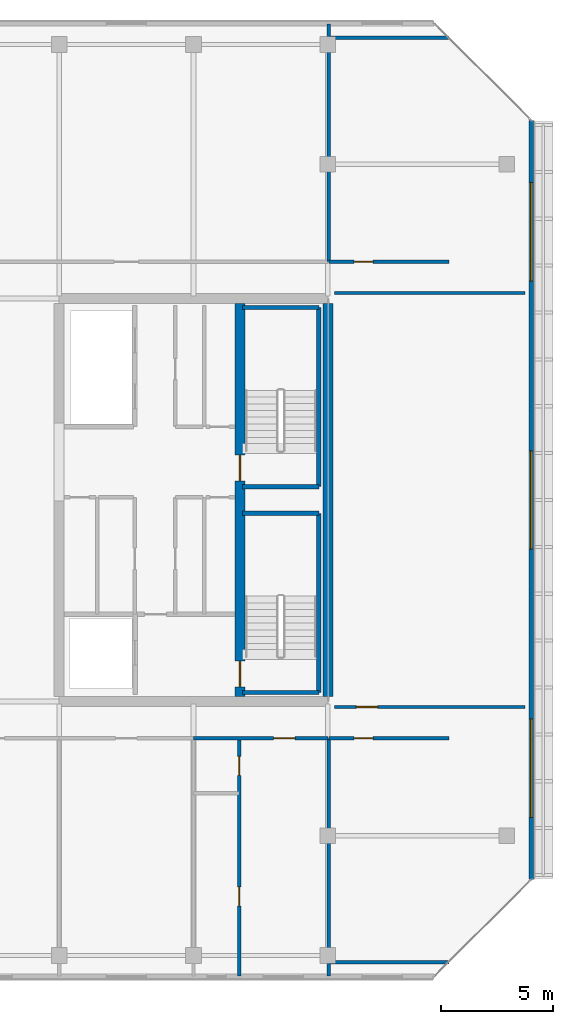
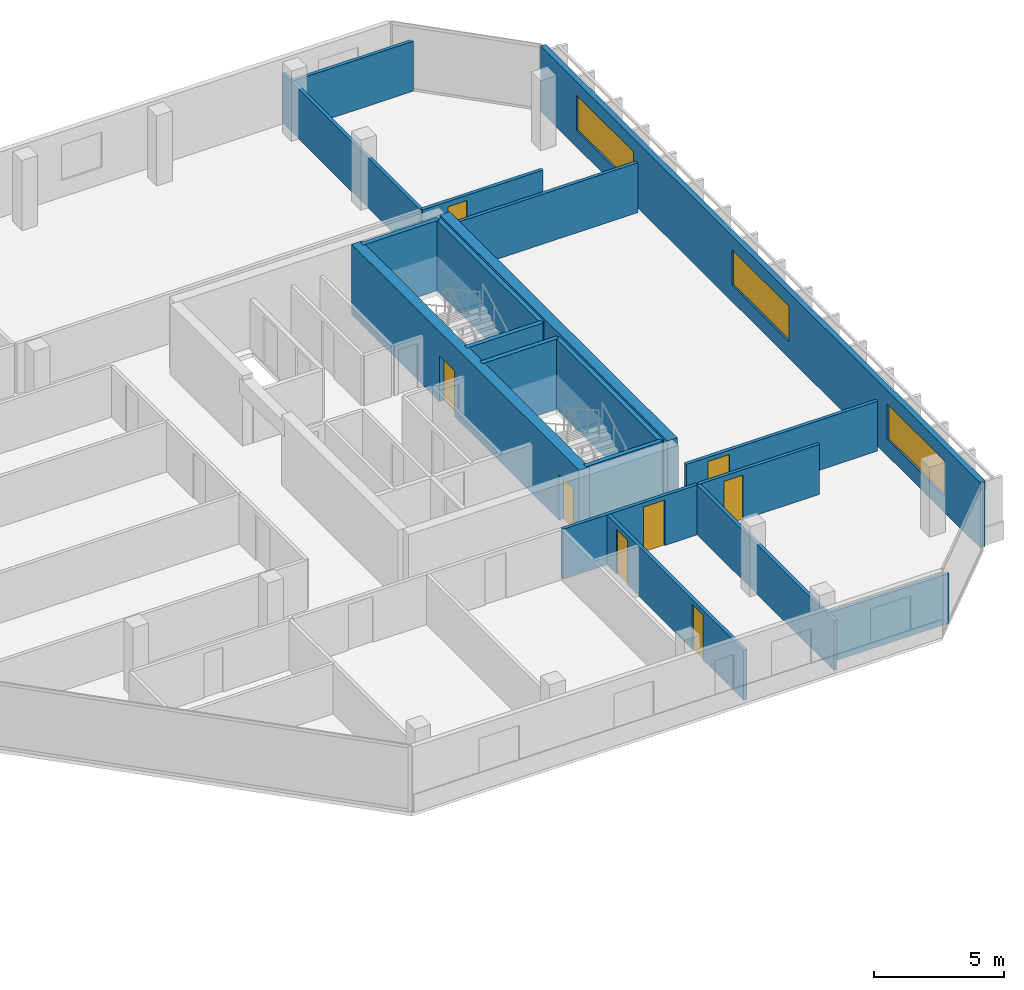
# One storey, part 25 of 29: 19 walls, 8 doors, 3 windows, 11 openings.
"""IFC4 building model written with IfcOpenShell, lengths in metres."""

from ifc_helpers import new_model, si_unit, direction, frame, frame_2d, origin, place, context, subcontext, project, spatial, rectangle, extrude, material, layer, layer_set, type_object, element, fill, save


model = new_model("IFC4")

# Units and contexts
model_context = context("Model", 3, precision=1e-05, world=origin(), true_north=direction((0.0, 1.0)))
body_context = subcontext(model_context, "Body", "Model", "MODEL_VIEW")
ifc_project = project(units=[si_unit("LENGTHUNIT", "METRE"), si_unit("AREAUNIT", "SQUARE_METRE"), si_unit("VOLUMEUNIT", "CUBIC_METRE"), si_unit("PLANEANGLEUNIT", "RADIAN"), si_unit("MASSUNIT", "GRAM", prefix="KILO")], contexts=[model_context])

# Site, building, storey
site_placement = place(None, origin())
site = spatial("IfcSite", under=ifc_project, at=site_placement, CompositionType="ELEMENT")
building_placement = place(site_placement, origin())
building = spatial("IfcBuilding", under=site, at=building_placement, Name="Tanjung Sevakor Pilgrim Tower", CompositionType="ELEMENT")
storey_placement = place(building_placement, frame((0.0, 0.0, 232.64990234375)))
storey = spatial("IfcBuildingStorey", under=building, at=storey_placement, Name="L65", CompositionType="ELEMENT", Elevation=232.64990234375)

# Wall
ifc_material_1 = material(Name="Concrete C60/75", Category="concrete")
ifc_layer_1 = layer(ifc_material_1, 0.449951171875)
ifc_layer_set_1 = layer_set([ifc_layer_1], Name="WALL-CW-450")
wall_type_1 = type_object("IfcWallType", Name="WALL-CW-450", PredefinedType="SHEAR", material=ifc_layer_set_1)
wall_1_placement = place(storey_placement, frame((90.0, 24.824951171875, 0.0), z_axis=(0.0, 0.0, 1.0), x_axis=(0.0, 1.0, 0.0)))
element("IfcWall", 1, at=wall_1_placement, inside=storey, type_object=wall_type_1, Name="L65 E Core Outer Shear Wall", PredefinedType="SHEAR", context=body_context, shape_type="SweptSolid", body=[
    extrude(rectangle(XDim=17.550048828125, YDim=0.449951171875, at=frame_2d((8.77490234375, 0.0))), origin(), (0.0, 0.0, 1.0), 3.300048828125),
])

# Wall, openings, doors
wall_2_placement = place(storey_placement, frame((86.074951171875, 24.824951171875, 0.0), z_axis=(0.0, 0.0, 1.0), x_axis=(0.0, 1.0, 0.0)))
wall_2 = element("IfcWall", 2, at=wall_2_placement, inside=storey, type_object=wall_type_1, Name="L65 E Core Stair Spine Wall", PredefinedType="SHEAR", context=body_context, shape_type="SweptSolid", body=[
    extrude(rectangle(XDim=17.550048828125, YDim=0.449951171875, at=frame_2d((8.77490234375, 0.0))), origin(), (0.0, 0.0, 1.0), 3.300048828125),
])
opening_1_placement = place(wall_2_placement, frame((0.425048828125, 0.0, 0.0)))
opening_1 = element("IfcOpeningElement", 3, at=opening_1_placement, cuts=wall_2, Name="Opening ID-ST1", PredefinedType="OPENING", context=body_context, shape_type="SweptSolid", body=[
    extrude(rectangle(XDim=1.14990234375, YDim=2.14990234375, at=frame_2d((0.574951171875, 1.074951171875))), frame((0.0, 0.23486328125, 0.0), z_axis=(0.0, -1.0, 0.0), x_axis=(1.0, 0.0, 0.0)), (0.0, 0.0, 1.0), 0.469970703125),
])
opening_2_placement = place(wall_2_placement, frame((9.625, 0.0, 0.0)))
opening_2 = element("IfcOpeningElement", 4, at=opening_2_placement, cuts=wall_2, Name="Opening ID-ST1", PredefinedType="OPENING", context=body_context, shape_type="SweptSolid", body=[
    extrude(rectangle(XDim=1.14990234375, YDim=2.14990234375, at=frame_2d((0.574951171875, 1.074951171875))), frame((0.0, 0.23486328125, 0.0), z_axis=(0.0, -1.0, 0.0), x_axis=(1.0, 0.0, 0.0)), (0.0, 0.0, 1.0), 0.469970703125),
])
ifc_material_2 = material(Name="Fire-Rated Steel S355J2", Category="steel")
door_type_1 = type_object("IfcDoorType", Name="DT-FIRE-1150", OperationType="NOTDEFINED", PredefinedType="DOOR", material=ifc_material_2)
door_1_placement = place(opening_1_placement, origin())
door_1 = element("IfcDoor", 5, at=door_1_placement, inside=storey, type_object=door_type_1, Name="L65 TS-E1 Stair Fire Door", OperationType="SINGLE_SWING_RIGHT", OverallHeight=2.14990234375, OverallWidth=1.14990234375, PredefinedType="DOOR", context=body_context, shape_type="SweptSolid", body=[
    extrude(rectangle(XDim=1.14990234375, YDim=2.14990234375, at=frame_2d((0.574951171875, 1.074951171875))), frame((0.0, 0.02490234375, 0.0), z_axis=(0.0, -1.0, 0.0), x_axis=(1.0, 0.0, 0.0)), (0.0, 0.0, 1.0), 0.050048828125),
])
fill(opening_1, door_1)
door_2_placement = place(opening_2_placement, origin())
door_2 = element("IfcDoor", 6, at=door_2_placement, inside=storey, type_object=door_type_1, Name="L65 TS-E2 Stair Fire Door", OperationType="SINGLE_SWING_LEFT", OverallHeight=2.14990234375, OverallWidth=1.14990234375, PredefinedType="DOOR", context=body_context, shape_type="SweptSolid", body=[
    extrude(rectangle(XDim=1.14990234375, YDim=2.14990234375, at=frame_2d((0.574951171875, 1.074951171875))), frame((0.0, 0.02490234375, 0.0), z_axis=(0.0, -1.0, 0.0), x_axis=(1.0, 0.0, 0.0)), (0.0, 0.0, 1.0), 0.050048828125),
])
fill(opening_2, door_2)

# Wall, opening, door
ifc_material_3 = material(Name="Concrete C40/50", Category="concrete")
ifc_layer_2 = layer(ifc_material_3, 0.14990234375)
ifc_layer_set_2 = layer_set([ifc_layer_2], Name="WT-COMP-150")
wall_type_2 = type_object("IfcWallType", Name="WT-COMP-150", PredefinedType="SOLIDWALL", material=ifc_layer_set_2)
wall_3_placement = place(storey_placement, frame((90.300048828125, 24.35009765625, 0.0), z_axis=(0.0, 0.0, 1.0), x_axis=(1.0, 0.0, 0.0)))
wall_3 = element("IfcWall", 7, at=wall_3_placement, inside=storey, type_object=wall_type_2, Name="L65 Partition IW-L65-049", PredefinedType="SOLIDWALL", context=body_context, shape_type="SweptSolid", body=[
    extrude(rectangle(XDim=8.52001953125, YDim=0.14990234375, at=frame_2d((4.260009765625, 0.0))), origin(), (0.0, 0.0, 1.0), 2.35009765625),
])
opening_3_placement = place(wall_3_placement, frame((0.97509765625, 0.0, 0.0)))
opening_3 = element("IfcOpeningElement", 8, at=opening_3_placement, cuts=wall_3, Name="Opening ID-RM1", PredefinedType="OPENING", context=body_context, shape_type="SweptSolid", body=[
    extrude(rectangle(XDim=0.949951171875, YDim=2.14990234375, at=frame_2d((0.47509765625, 1.074951171875))), frame((0.0, 0.0849609375, 0.0), z_axis=(0.0, -1.0, 0.0), x_axis=(1.0, 0.0, 0.0)), (0.0, 0.0, 1.0), 0.169921875),
])
ifc_material_4 = material(Name="Hardwood Timber", Category="wood")
door_type_2 = type_object("IfcDoorType", Name="DT-INT-950", OperationType="NOTDEFINED", PredefinedType="DOOR", material=ifc_material_4)
door_3_placement = place(opening_3_placement, origin())
door_3 = element("IfcDoor", 9, at=door_3_placement, inside=storey, type_object=door_type_2, Name="L65 East Crown Sanctuary Door", OperationType="SINGLE_SWING_RIGHT", OverallHeight=2.14990234375, OverallWidth=0.949951171875, PredefinedType="DOOR", context=body_context, shape_type="SweptSolid", body=[
    extrude(rectangle(XDim=0.949951171875, YDim=2.14990234375, at=frame_2d((0.47509765625, 1.074951171875))), frame((0.0, 0.02490234375, 0.0), z_axis=(0.0, -1.0, 0.0), x_axis=(1.0, 0.0, 0.0)), (0.0, 0.0, 1.0), 0.050048828125),
])
fill(opening_3, door_3)

# Walls
wall_4_placement = place(storey_placement, frame((90.300048828125, 42.85009765625, 0.0), z_axis=(0.0, 0.0, 1.0), x_axis=(1.0, 0.0, 0.0)))
element("IfcWall", 10, at=wall_4_placement, inside=storey, type_object=wall_type_2, Name="L65 Partition IW-L65-050", PredefinedType="SOLIDWALL", context=body_context, shape_type="SweptSolid", body=[
    extrude(rectangle(XDim=8.52001953125, YDim=0.14990234375, at=frame_2d((4.260009765625, 0.0))), origin(), (0.0, 0.0, 1.0), 2.35009765625),
])
wall_5_placement = place(storey_placement, frame((90.050048828125, 12.949951171875, 0.0), z_axis=(0.0, 0.0, 1.0), x_axis=(1.0, 0.0, 0.0)))
element("IfcWall", 11, at=wall_5_placement, inside=storey, type_object=wall_type_2, Name="L65 Partition IW-L65-051", PredefinedType="SOLIDWALL", context=body_context, shape_type="SweptSolid", body=[
    extrude(rectangle(XDim=5.369873046875, YDim=0.14990234375, at=frame_2d((2.68505859375, 0.0))), origin(), (0.0, 0.0, 1.0), 2.35009765625),
])

# Wall, opening, door
wall_6_placement = place(storey_placement, frame((90.050048828125, 22.949951171875, 0.0), z_axis=(0.0, 0.0, 1.0), x_axis=(1.0, 0.0, 0.0)))
wall_6 = element("IfcWall", 12, at=wall_6_placement, inside=storey, type_object=wall_type_2, Name="L65 Partition IW-L65-052", PredefinedType="SOLIDWALL", context=body_context, shape_type="SweptSolid", body=[
    extrude(rectangle(XDim=5.369873046875, YDim=0.14990234375, at=frame_2d((2.68505859375, 0.0))), origin(), (0.0, 0.0, 1.0), 2.35009765625),
])
opening_4_placement = place(wall_6_placement, frame((1.125, 0.0, 0.0)))
opening_4 = element("IfcOpeningElement", 13, at=opening_4_placement, cuts=wall_6, Name="Opening ID-WC1", PredefinedType="OPENING", context=body_context, shape_type="SweptSolid", body=[
    extrude(rectangle(XDim=0.85009765625, YDim=2.10009765625, at=frame_2d((0.425048828125, 1.050048828125))), frame((0.0, 0.0849609375, 0.0), z_axis=(0.0, -1.0, 0.0), x_axis=(1.0, 0.0, 0.0)), (0.0, 0.0, 1.0), 0.169921875),
])
ifc_material_5 = material(Name="Moisture-Resistant Timber", Category="wood")
door_type_3 = type_object("IfcDoorType", Name="DT-INT-850", OperationType="NOTDEFINED", PredefinedType="DOOR", material=ifc_material_5)
door_4_placement = place(opening_4_placement, origin())
door_4 = element("IfcDoor", 14, at=door_4_placement, inside=storey, type_object=door_type_3, Name="L65 SE Crown Study Door", OperationType="SINGLE_SWING_LEFT", OverallHeight=2.10009765625, OverallWidth=0.85009765625, PredefinedType="DOOR", context=body_context, shape_type="SweptSolid", body=[
    extrude(rectangle(XDim=0.85009765625, YDim=2.10009765625, at=frame_2d((0.425048828125, 1.050048828125))), frame((0.0, 0.02490234375, 0.0), z_axis=(0.0, -1.0, 0.0), x_axis=(1.0, 0.0, 0.0)), (0.0, 0.0, 1.0), 0.050048828125),
])
fill(opening_4, door_4)

# Wall
wall_7_placement = place(storey_placement, frame((90.050048828125, 12.340087890625, 0.0), z_axis=(0.0, 0.0, 1.0), x_axis=(0.0, 1.0, 0.0)))
element("IfcWall", 15, at=wall_7_placement, inside=storey, type_object=wall_type_2, Name="L65 Partition IW-L65-053", PredefinedType="SOLIDWALL", context=body_context, shape_type="SweptSolid", body=[
    extrude(rectangle(XDim=10.60986328125, YDim=0.14990234375, at=frame_2d((5.304931640625, 0.0))), origin(), (0.0, 0.0, 1.0), 2.35009765625),
])

# Wall, opening, door
wall_8_placement = place(storey_placement, frame((90.050048828125, 44.25, 0.0), z_axis=(0.0, 0.0, 1.0), x_axis=(1.0, 0.0, 0.0)))
wall_8 = element("IfcWall", 16, at=wall_8_placement, inside=storey, type_object=wall_type_2, Name="L65 Partition IW-L65-054", PredefinedType="SOLIDWALL", context=body_context, shape_type="SweptSolid", body=[
    extrude(rectangle(XDim=5.369873046875, YDim=0.14990234375, at=frame_2d((2.68505859375, 0.0))), origin(), (0.0, 0.0, 1.0), 2.35009765625),
])
opening_5_placement = place(wall_8_placement, frame((1.125, 0.0, 0.0)))
opening_5 = element("IfcOpeningElement", 17, at=opening_5_placement, cuts=wall_8, Name="Opening ID-WC1", PredefinedType="OPENING", context=body_context, shape_type="SweptSolid", body=[
    extrude(rectangle(XDim=0.85009765625, YDim=2.10009765625, at=frame_2d((0.425048828125, 1.050048828125))), frame((0.0, 0.0849609375, 0.0), z_axis=(0.0, -1.0, 0.0), x_axis=(1.0, 0.0, 0.0)), (0.0, 0.0, 1.0), 0.169921875),
])
door_5_placement = place(opening_5_placement, origin())
door_5 = element("IfcDoor", 18, at=door_5_placement, inside=storey, type_object=door_type_3, Name="L65 NE Crown Lounge Door", OperationType="SINGLE_SWING_RIGHT", OverallHeight=2.10009765625, OverallWidth=0.85009765625, PredefinedType="DOOR", context=body_context, shape_type="SweptSolid", body=[
    extrude(rectangle(XDim=0.85009765625, YDim=2.10009765625, at=frame_2d((0.425048828125, 1.050048828125))), frame((0.0, 0.02490234375, 0.0), z_axis=(0.0, -1.0, 0.0), x_axis=(1.0, 0.0, 0.0)), (0.0, 0.0, 1.0), 0.050048828125),
])
fill(opening_5, door_5)

# Walls
wall_9_placement = place(storey_placement, frame((90.050048828125, 54.25, 0.0), z_axis=(0.0, 0.0, 1.0), x_axis=(1.0, 0.0, 0.0)))
element("IfcWall", 19, at=wall_9_placement, inside=storey, type_object=wall_type_2, Name="L65 Partition IW-L65-055", PredefinedType="SOLIDWALL", context=body_context, shape_type="SweptSolid", body=[
    extrude(rectangle(XDim=5.369873046875, YDim=0.14990234375, at=frame_2d((2.68505859375, 0.0))), origin(), (0.0, 0.0, 1.0), 2.35009765625),
])
wall_10_placement = place(storey_placement, frame((90.050048828125, 44.25, 0.0), z_axis=(0.0, 0.0, 1.0), x_axis=(0.0, 1.0, 0.0)))
element("IfcWall", 20, at=wall_10_placement, inside=storey, type_object=wall_type_2, Name="L65 Partition IW-L65-056", PredefinedType="SOLIDWALL", context=body_context, shape_type="SweptSolid", body=[
    extrude(rectangle(XDim=10.610107421875, YDim=0.14990234375, at=frame_2d((5.30517578125, 0.0))), origin(), (0.0, 0.0, 1.0), 2.35009765625),
])

# Wall, opening, door
wall_11_placement = place(storey_placement, frame((84.0, 22.949951171875, 0.0), z_axis=(0.0, 0.0, 1.0), x_axis=(1.0, 0.0, 0.0)))
wall_11 = element("IfcWall", 21, at=wall_11_placement, inside=storey, type_object=wall_type_2, Name="L65 Partition IW-L65-063", PredefinedType="SOLIDWALL", context=body_context, shape_type="SweptSolid", body=[
    extrude(rectangle(XDim=6.0, YDim=0.14990234375, at=frame_2d((3.0, 0.0))), origin(), (0.0, 0.0, 1.0), 2.35009765625),
])
opening_6_placement = place(wall_11_placement, frame((3.5849609375, 0.0, 0.0)))
opening_6 = element("IfcOpeningElement", 22, at=opening_6_placement, cuts=wall_11, Name="Opening ID-FD2", PredefinedType="OPENING", context=body_context, shape_type="SweptSolid", body=[
    extrude(rectangle(XDim=0.949951171875, YDim=2.14990234375, at=frame_2d((0.47509765625, 1.074951171875))), frame((0.0, 0.0849609375, 0.0), z_axis=(0.0, -1.0, 0.0), x_axis=(1.0, 0.0, 0.0)), (0.0, 0.0, 1.0), 0.169921875),
])
ifc_material_6 = material(Name="Fire-Rated Timber", Category="wood")
door_type_4 = type_object("IfcDoorType", Name="DT-FIRE-950", OperationType="NOTDEFINED", PredefinedType="DOOR", material=ifc_material_6)
door_6_placement = place(opening_6_placement, origin())
door_6 = element("IfcDoor", 23, at=door_6_placement, inside=storey, type_object=door_type_4, Name="Hotel Guestroom Entrance", OperationType="SINGLE_SWING_LEFT", OverallHeight=2.14990234375, OverallWidth=0.949951171875, PredefinedType="DOOR", context=body_context, shape_type="SweptSolid", body=[
    extrude(rectangle(XDim=0.949951171875, YDim=2.14990234375, at=frame_2d((0.47509765625, 1.074951171875))), frame((0.0, 0.02490234375, 0.0), z_axis=(0.0, -1.0, 0.0), x_axis=(1.0, 0.0, 0.0)), (0.0, 0.0, 1.0), 0.050048828125),
])
fill(opening_6, door_6)

# Wall, openings, windows
ifc_material_7 = material(Name="Precast concrete C45/55", Category="concrete")
ifc_layer_3 = layer(ifc_material_7, 0.219970703125)
ifc_layer_set_3 = layer_set([ifc_layer_3], Name="WT-EW-STN4")
wall_type_3 = type_object("IfcWallType", Name="WT-EW-STN4", PredefinedType="SOLIDWALL", material=ifc_layer_set_3)
wall_12_placement = place(storey_placement, frame((99.090087890625, 16.6455078125, 0.0), z_axis=(0.0, 0.0, 1.0), x_axis=(0.0, 1.0, 0.0)))
wall_12 = element("IfcWall", 24, at=wall_12_placement, inside=storey, type_object=wall_type_3, Name="L65 EAST Exterior Wall 3", PredefinedType="SOLIDWALL", context=body_context, shape_type="SweptSolid", body=[
    extrude(rectangle(XDim=33.908935546875, YDim=0.219970703125, at=frame_2d((16.95458984375, 0.0))), origin(), (0.0, 0.0, 1.0), 3.080078125),
])
opening_7_placement = place(wall_12_placement, frame((14.75439453125, 0.0, 0.780029296875)))
opening_7 = element("IfcOpeningElement", 25, at=opening_7_placement, cuts=wall_12, Name="Opening WN-ENDW-1660", PredefinedType="OPENING", context=body_context, shape_type="SweptSolid", body=[
    extrude(rectangle(XDim=4.39990234375, YDim=1.659912109375, at=frame_2d((2.199951171875, 0.830078125))), frame((0.0, 0.119873046875, 0.0), z_axis=(0.0, -1.0, 0.0), x_axis=(1.0, 0.0, 0.0)), (0.0, 0.0, 1.0), 0.239990234375),
])
opening_8_placement = place(wall_12_placement, frame((2.772216796875, 0.0, 0.780029296875)))
opening_8 = element("IfcOpeningElement", 26, at=opening_8_placement, cuts=wall_12, Name="Opening WN-ENDW-1660", PredefinedType="OPENING", context=body_context, shape_type="SweptSolid", body=[
    extrude(rectangle(XDim=4.39990234375, YDim=1.659912109375, at=frame_2d((2.199951171875, 0.830078125))), frame((0.0, 0.119873046875, 0.0), z_axis=(0.0, -1.0, 0.0), x_axis=(1.0, 0.0, 0.0)), (0.0, 0.0, 1.0), 0.239990234375),
])
opening_9_placement = place(wall_12_placement, frame((26.736572265625, 0.0, 0.780029296875)))
opening_9 = element("IfcOpeningElement", 27, at=opening_9_placement, cuts=wall_12, Name="Opening WN-ENDW-1660", PredefinedType="OPENING", context=body_context, shape_type="SweptSolid", body=[
    extrude(rectangle(XDim=4.39990234375, YDim=1.659912109375, at=frame_2d((2.199951171875, 0.830078125))), frame((0.0, 0.119873046875, 0.0), z_axis=(0.0, -1.0, 0.0), x_axis=(1.0, 0.0, 0.0)), (0.0, 0.0, 1.0), 0.239990234375),
])
ifc_material_8 = material(Name="Thermally Broken Aluminium and Low-E Glass", Category="aluminium")
window_type = type_object("IfcWindowType", Name="WTYP-WN-ENDW-1660", PartitioningType="DOUBLE_PANEL_VERTICAL", PredefinedType="WINDOW", material=ifc_material_8)
window_1_placement = place(opening_7_placement, origin())
window_1 = element("IfcWindow", 28, at=window_1_placement, inside=storey, type_object=window_type, Name="L65 Facade Window 01", OverallHeight=1.659912109375, OverallWidth=4.39990234375, PartitioningType="SINGLE_PANEL", PredefinedType="WINDOW", context=body_context, shape_type="SweptSolid", body=[
    extrude(rectangle(XDim=4.39990234375, YDim=1.659912109375, at=frame_2d((2.199951171875, 0.830078125))), frame((0.0, 0.030029296875, 0.0), z_axis=(0.0, -1.0, 0.0), x_axis=(1.0, 0.0, 0.0)), (0.0, 0.0, 1.0), 0.06005859375),
])
fill(opening_7, window_1)
window_2_placement = place(opening_8_placement, origin())
window_2 = element("IfcWindow", 29, at=window_2_placement, inside=storey, type_object=window_type, Name="L65 Facade Window 02", OverallHeight=1.659912109375, OverallWidth=4.39990234375, PartitioningType="SINGLE_PANEL", PredefinedType="WINDOW", context=body_context, shape_type="SweptSolid", body=[
    extrude(rectangle(XDim=4.39990234375, YDim=1.659912109375, at=frame_2d((2.199951171875, 0.830078125))), frame((0.0, 0.030029296875, 0.0), z_axis=(0.0, -1.0, 0.0), x_axis=(1.0, 0.0, 0.0)), (0.0, 0.0, 1.0), 0.06005859375),
])
fill(opening_8, window_2)
window_3_placement = place(opening_9_placement, origin())
window_3 = element("IfcWindow", 30, at=window_3_placement, inside=storey, type_object=window_type, Name="L65 Facade Window 03", OverallHeight=1.659912109375, OverallWidth=4.39990234375, PartitioningType="SINGLE_PANEL", PredefinedType="WINDOW", context=body_context, shape_type="SweptSolid", body=[
    extrude(rectangle(XDim=4.39990234375, YDim=1.659912109375, at=frame_2d((2.199951171875, 0.830078125))), frame((0.0, 0.030029296875, 0.0), z_axis=(0.0, -1.0, 0.0), x_axis=(1.0, 0.0, 0.0)), (0.0, 0.0, 1.0), 0.06005859375),
])
fill(opening_9, window_3)

# Walls
ifc_material_9 = material(Name="Concrete C40/50", Category="concrete")
ifc_layer_4 = layer(ifc_material_9, 0.199951171875)
ifc_layer_set_4 = layer_set([ifc_layer_4], Name="WT-FIRE-200")
wall_type_4 = type_object("IfcWallType", Name="WT-FIRE-200", PredefinedType="SOLIDWALL", material=ifc_layer_set_4)
wall_13_placement = place(storey_placement, frame((86.199951171875, 25.0, 0.0), z_axis=(0.0, 0.0, 1.0), x_axis=(1.0, 0.0, 0.0)))
element("IfcWall", 31, at=wall_13_placement, inside=storey, type_object=wall_type_4, Name="L65 TS-E1 Shaft Wall 1", PredefinedType="SOLIDWALL", context=body_context, shape_type="SweptSolid", body=[
    extrude(rectangle(XDim=3.400146484375, YDim=0.199951171875, at=frame_2d((1.7001953125, 0.0))), origin(), (0.0, 0.0, 1.0), 3.300048828125),
])
wall_14_placement = place(storey_placement, frame((89.60009765625, 25.0, 0.0), z_axis=(0.0, 0.0, 1.0), x_axis=(0.0, 1.0, 0.0)))
element("IfcWall", 32, at=wall_14_placement, inside=storey, type_object=wall_type_4, Name="L65 TS-E1 Shaft Wall 2", PredefinedType="SOLIDWALL", context=body_context, shape_type="SweptSolid", body=[
    extrude(rectangle(XDim=8.0, YDim=0.199951171875, at=frame_2d((4.0, 0.0))), origin(), (0.0, 0.0, 1.0), 3.300048828125),
])
for number, where, z_axis, x_axis, name in (
    (33, (89.60009765625, 33.0, 0.0), (0.0, 0.0, 1.0), (-1.0, 0.0, 0.0), "L65 TS-E1 Shaft Wall 3"),
    (34, (86.199951171875, 34.199951171875, 0.0), (0.0, 0.0, 1.0), (1.0, 0.0, 0.0), "L65 TS-E2 Shaft Wall 1"),
):
    element("IfcWall", number, at=place(storey_placement, frame(where, z_axis=z_axis, x_axis=x_axis)), inside=storey, type_object=wall_type_4, Name=name, PredefinedType="SOLIDWALL", context=body_context, shape_type="SweptSolid", body=[
        extrude(rectangle(XDim=3.400146484375, YDim=0.199951171875, at=frame_2d((1.7001953125, 0.0))), origin(), (0.0, 0.0, 1.0), 3.300048828125),
    ])
wall_15_placement = place(storey_placement, frame((89.60009765625, 34.199951171875, 0.0), z_axis=(0.0, 0.0, 1.0), x_axis=(0.0, 1.0, 0.0)))
element("IfcWall", 35, at=wall_15_placement, inside=storey, type_object=wall_type_4, Name="L65 TS-E2 Shaft Wall 2", PredefinedType="SOLIDWALL", context=body_context, shape_type="SweptSolid", body=[
    extrude(rectangle(XDim=8.0, YDim=0.199951171875, at=frame_2d((4.0, 0.0))), origin(), (0.0, 0.0, 1.0), 3.300048828125),
])
wall_16_placement = place(storey_placement, frame((89.60009765625, 42.199951171875, 0.0), z_axis=(0.0, 0.0, 1.0), x_axis=(-1.0, 0.0, 0.0)))
element("IfcWall", 36, at=wall_16_placement, inside=storey, type_object=wall_type_4, Name="L65 TS-E2 Shaft Wall 3", PredefinedType="SOLIDWALL", context=body_context, shape_type="SweptSolid", body=[
    extrude(rectangle(XDim=3.400146484375, YDim=0.199951171875, at=frame_2d((1.7001953125, 0.0))), origin(), (0.0, 0.0, 1.0), 3.300048828125),
])

# Wall, openings, doors
ifc_material_10 = material(Name="Gypsum Board Partition", Category="gypsum board")
ifc_layer_5 = layer(ifc_material_10, 0.14990234375)
ifc_layer_set_5 = layer_set([ifc_layer_5], Name="WT-PART-150")
wall_type_5 = type_object("IfcWallType", Name="WT-PART-150", PredefinedType="PARTITIONING", material=ifc_layer_set_5)
wall_17_placement = place(storey_placement, frame((86.0400390625, 12.340087890625, 0.0), z_axis=(0.0, 0.0, 1.0), x_axis=(0.0, 1.0, 0.0)))
wall_17 = element("IfcWall", 37, at=wall_17_placement, inside=storey, type_object=wall_type_5, Name="L65 Partition IW-L65-062", PredefinedType="PARTITIONING", context=body_context, shape_type="SweptSolid", body=[
    extrude(rectangle(XDim=10.60986328125, YDim=0.14990234375, at=frame_2d((5.304931640625, 0.0))), origin(), (0.0, 0.0, 1.0), 2.35009765625),
])
opening_10_placement = place(wall_17_placement, frame((3.1240234375, 0.0, 0.0)))
opening_10 = element("IfcOpeningElement", 38, at=opening_10_placement, cuts=wall_17, Name="Opening ID-WC1", PredefinedType="OPENING", context=body_context, shape_type="SweptSolid", body=[
    extrude(rectangle(XDim=0.85009765625, YDim=2.10009765625, at=frame_2d((0.425048828125, 1.050048828125))), frame((0.0, 0.0849609375, 0.0), z_axis=(0.0, -1.0, 0.0), x_axis=(1.0, 0.0, 0.0)), (0.0, 0.0, 1.0), 0.169921875),
])
opening_11_placement = place(wall_17_placement, frame((8.9599609375, 0.0, 0.0)))
opening_11 = element("IfcOpeningElement", 39, at=opening_11_placement, cuts=wall_17, Name="Opening ID-WC1", PredefinedType="OPENING", context=body_context, shape_type="SweptSolid", body=[
    extrude(rectangle(XDim=0.85009765625, YDim=2.10009765625, at=frame_2d((0.425048828125, 1.050048828125))), frame((0.0, 0.0849609375, 0.0), z_axis=(0.0, -1.0, 0.0), x_axis=(1.0, 0.0, 0.0)), (0.0, 0.0, 1.0), 0.169921875),
])
door_7_placement = place(opening_10_placement, origin())
door_7 = element("IfcDoor", 40, at=door_7_placement, inside=storey, type_object=door_type_3, Name="Study Nook Door", OperationType="SINGLE_SWING_LEFT", OverallHeight=2.10009765625, OverallWidth=0.85009765625, PredefinedType="DOOR", context=body_context, shape_type="SweptSolid", body=[
    extrude(rectangle(XDim=0.85009765625, YDim=2.10009765625, at=frame_2d((0.425048828125, 1.050048828125))), frame((0.0, 0.02490234375, 0.0), z_axis=(0.0, -1.0, 0.0), x_axis=(1.0, 0.0, 0.0)), (0.0, 0.0, 1.0), 0.050048828125),
])
fill(opening_10, door_7)
door_8_placement = place(opening_11_placement, origin())
door_8 = element("IfcDoor", 41, at=door_8_placement, inside=storey, type_object=door_type_3, Name="Bathroom Door", OperationType="SINGLE_SWING_RIGHT", OverallHeight=2.10009765625, OverallWidth=0.85009765625, PredefinedType="DOOR", context=body_context, shape_type="SweptSolid", body=[
    extrude(rectangle(XDim=0.85009765625, YDim=2.10009765625, at=frame_2d((0.425048828125, 1.050048828125))), frame((0.0, 0.02490234375, 0.0), z_axis=(0.0, -1.0, 0.0), x_axis=(1.0, 0.0, 0.0)), (0.0, 0.0, 1.0), 0.050048828125),
])
fill(opening_11, door_8)

save(model, "model.ifc")
